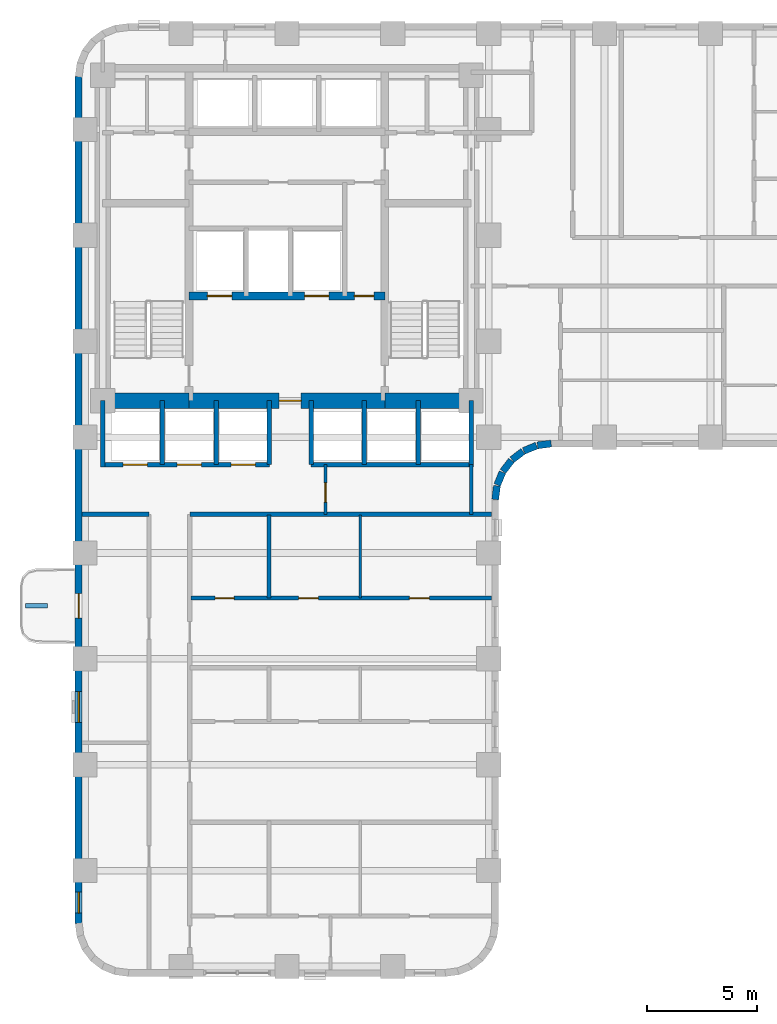
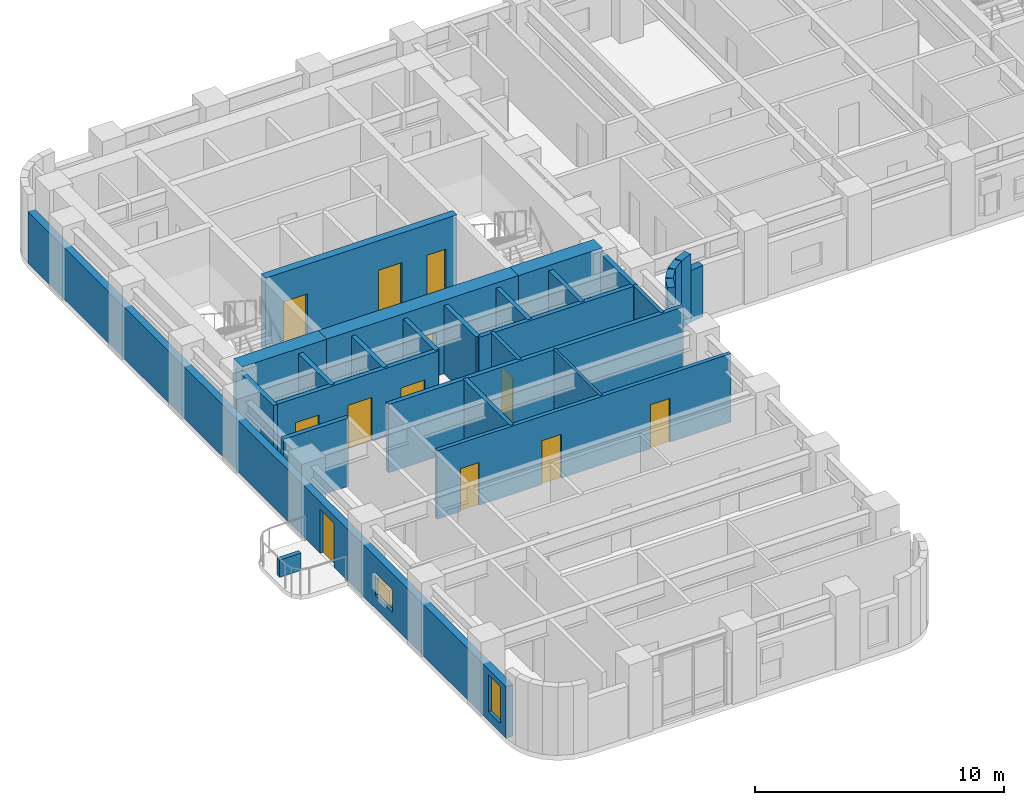
# One storey, part 5 of 12: 29 walls, 12 doors, 2 windows, 14 openings.
"""IFC4 building model written with IfcOpenShell, lengths in metres."""

import ifcopenshell
import ifcopenshell.guid

model = None  # the IFC model being written
_history = None  # IfcOwnerHistory: only IFC2X3 demands one
_inside = {}  # id of a spatial element -> (the spatial element, [elements in it])
_under = {}  # id of a project, library or spatial element -> (it, [spatial elements below it])
_declared = {}  # id of a project -> (the project, [libraries it declares])
_typed = {}  # id of a type object -> (the type object, [elements of that type])
_made_of = {}  # id of a material, layer set ... -> (it, [elements and type objects made of it])


def new_model(schema):
    """Start an empty IFC model of exactly this schema.

    Asked for "IFC4X3", IfcOpenShell would pick the latest addendum, in which some entities
    have other attributes; the version numbers below select the first issue.
    IFC2X3 requires an IfcOwnerHistory on every rooted entity: one is made here for all.
    """
    global model, _history
    if schema == "IFC4X3":
        model = ifcopenshell.file(schema_version=(4, 3, 0, 0))
    else:
        model = ifcopenshell.file(schema=schema)
    _inside.clear()
    _under.clear()
    _declared.clear()
    _typed.clear()
    _made_of.clear()
    _history = None
    if model.schema == "IFC2X3":
        org = make("IfcOrganization", Name="unknown")
        user = make(
            "IfcPersonAndOrganization",
            ThePerson=make("IfcPerson", FamilyName="unknown"),
            TheOrganization=org,
        )
        app = make(
            "IfcApplication",
            ApplicationDeveloper=org,
            Version="unknown",
            ApplicationFullName="unknown",
            ApplicationIdentifier="unknown",
        )
        _history = make(
            "IfcOwnerHistory",
            OwningUser=user,
            OwningApplication=app,
            ChangeAction="ADDED",
            CreationDate=0,
        )
    return model


def make(cls, **values):
    """One entity of the class cls with the attributes given. An attribute that is None is left unset."""
    return model.create_entity(
        cls, **{name: value for name, value in values.items() if value is not None}
    )


def rooted(cls, **values):
    """An entity with a GlobalId (a new one), such as an element, a storey or a relation."""
    return make(cls, GlobalId=ifcopenshell.guid.new(), OwnerHistory=_history, **values)


def si_unit(unit_type, name, prefix=None):
    """IfcSIUnit, for example si_unit("LENGTHUNIT", "METRE", prefix="MILLI")."""
    return make("IfcSIUnit", UnitType=unit_type, Prefix=prefix, Name=name)


def assignment(units):
    """IfcUnitAssignment: the units of a project."""
    return None if units is None else make("IfcUnitAssignment", Units=units)


def point(xyz):
    """IfcCartesianPoint."""
    return None if xyz is None else make("IfcCartesianPoint", Coordinates=xyz)


def direction(xyz):
    """IfcDirection."""
    return None if xyz is None else make("IfcDirection", DirectionRatios=xyz)


def frame(location, z_axis=None, x_axis=None):
    """IfcAxis2Placement3D, a coordinate frame: its origin and axes. An axis left out is left unset."""
    return make(
        "IfcAxis2Placement3D",
        Location=point(location),
        Axis=direction(z_axis),
        RefDirection=direction(x_axis),
    )


def frame_2d(location, x_axis=None):
    """IfcAxis2Placement2D, a coordinate frame in the plane: its origin and x axis."""
    return make(
        "IfcAxis2Placement2D", Location=point(location), RefDirection=direction(x_axis)
    )


def origin():
    """The frame at (0, 0, 0) with its axes left unset."""
    return frame((0.0, 0.0, 0.0))


def place(relative_to, where):
    """IfcLocalPlacement: puts the frame where relative to a parent placement (None: the world)."""
    return make(
        "IfcLocalPlacement", PlacementRelTo=relative_to, RelativePlacement=where
    )


def context(
    kind, dimensions, precision=None, world=None, true_north=None, identifier=None
):
    """IfcGeometricRepresentationContext, for example the 3D "Model" context."""
    return make(
        "IfcGeometricRepresentationContext",
        ContextIdentifier=identifier,
        ContextType=kind,
        CoordinateSpaceDimension=dimensions,
        Precision=precision,
        WorldCoordinateSystem=world,
        TrueNorth=true_north,
    )


def subcontext(parent, identifier, kind, view, scale=None):
    """IfcGeometricRepresentationSubContext, for example "Body" below "Model"."""
    return make(
        "IfcGeometricRepresentationSubContext",
        ContextIdentifier=identifier,
        ContextType=kind,
        ParentContext=parent,
        TargetScale=scale,
        TargetView=view,
    )


def project(units=None, contexts=None):
    """IfcProject with its units and contexts."""
    return rooted(
        "IfcProject",
        Name="project",
        RepresentationContexts=contexts,
        UnitsInContext=assignment(units),
    )


def spatial(cls, under=None, at=None, **own):
    """A site, building, storey or space (cls), placed at a placement, below another one or the project."""
    s = rooted(cls, ObjectPlacement=at, **own)
    if under is not None:
        _under.setdefault(under.id(), (under, []))[1].append(s)
    return s


def profile(cls, at=None, kind="AREA", **sizes):
    """A parametric profile (cls). Its sizes go by their IFC names, for example OverallWidth=200.0."""
    return make(cls, ProfileType=kind, Position=at, **sizes)


def rectangle(**sizes):
    """IfcRectangleProfileDef."""
    return profile("IfcRectangleProfileDef", **sizes)


def extrude(swept, where, along, depth):
    """IfcExtrudedAreaSolid: the profile swept, set in the frame where, extruded along a direction by depth."""
    return make(
        "IfcExtrudedAreaSolid",
        SweptArea=swept,
        Position=where,
        ExtrudedDirection=direction(along),
        Depth=depth,
    )


def shape(context_of_items, identifier, shape_type, items):
    """IfcShapeRepresentation: the items that make up one representation, for example the "Body"."""
    return make(
        "IfcShapeRepresentation",
        ContextOfItems=context_of_items,
        RepresentationIdentifier=identifier,
        RepresentationType=shape_type,
        Items=items,
    )


def material(Name=None, Category=None):
    """IfcMaterial."""
    return make("IfcMaterial", Name=Name, Category=Category)


def layer(
    of_material, thickness, ventilated=None, Name=None, Category=None, Priority=None
):
    """IfcMaterialLayer: one layer of a wall or slab, of a material (None: an air gap)."""
    return make(
        "IfcMaterialLayer",
        Material=of_material,
        LayerThickness=thickness,
        IsVentilated=ventilated,
        Name=Name,
        Category=Category,
        Priority=Priority,
    )


def layer_set(layers, Name=None):
    """IfcMaterialLayerSet."""
    return make("IfcMaterialLayerSet", MaterialLayers=layers, LayerSetName=Name)


def made_of(thing, what):
    """Note that an element or type object is made of a material, layer set ...; save() writes the relation."""
    if what is not None:
        _made_of.setdefault(what.id(), (what, []))[1].append(thing)
    return thing


def type_object(cls, material=None, **own):
    """A type object (cls), such as IfcWallType, which elements share."""
    return made_of(rooted(cls, **own), material)


def element(
    cls,
    number,
    at=None,
    inside=None,
    cuts=None,
    type_object=None,
    material=None,
    context=None,
    identifier="Body",
    shape_type=None,
    held_by="IfcProductDefinitionShape",
    body=None,
    shapes=None,
    **own,
):
    """One element of the class cls, such as IfcWall. Its Tag is "e" and its number.

    at: its placement. inside: the storey or other place that contains it. cuts: it is an
    opening in that element (IfcRelVoidsElement). A single representation is given by context,
    identifier, shape_type and body (its items); several are given by shapes. held_by: the class
    of the entity that holds the representations. save() writes the other relations.
    """
    e = rooted(cls, Tag="e%d" % number, ObjectPlacement=at, **own)
    if body is not None:
        shapes = [shape(context, identifier, shape_type, body)]
    if shapes is not None:
        e.Representation = make(held_by, Representations=shapes)
    if inside is not None:
        _inside.setdefault(inside.id(), (inside, []))[1].append(e)
    if cuts is not None:
        rooted(
            "IfcRelVoidsElement", RelatingBuildingElement=cuts, RelatedOpeningElement=e
        )
    if type_object is not None:
        _typed.setdefault(type_object.id(), (type_object, []))[1].append(e)
    return made_of(e, material)


def fill(opening, filler):
    """IfcRelFillsElement: the door or window that sits in an opening."""
    return rooted(
        "IfcRelFillsElement",
        RelatingOpeningElement=opening,
        RelatedBuildingElement=filler,
    )


def aggregate(whole, parts):
    """IfcRelAggregates: a whole, such as a stair, and the parts it consists of."""
    return rooted("IfcRelAggregates", RelatingObject=whole, RelatedObjects=parts)


def save(model, path):
    """Write the relations noted so far, then the file.

    IfcRelAggregates (storeys below a building ...), IfcRelContainedInSpatialStructure (elements
    in a storey), IfcRelDefinesByType, IfcRelAssociatesMaterial and IfcRelDeclares: one each for
    every whole, place, type object, material and project.
    """
    for whole, parts in _under.values():
        aggregate(whole, parts)
    for where, things in _inside.values():
        rooted(
            "IfcRelContainedInSpatialStructure",
            RelatedElements=things,
            RelatingStructure=where,
        )
    for kind, things in _typed.values():
        rooted("IfcRelDefinesByType", RelatedObjects=things, RelatingType=kind)
    for what, things in _made_of.values():
        rooted("IfcRelAssociatesMaterial", RelatedObjects=things, RelatingMaterial=what)
    for by, libraries in _declared.values():
        rooted("IfcRelDeclares", RelatingContext=by, RelatedDefinitions=libraries)
    model.write(path)


model = new_model("IFC4")

# Units and contexts
model_context = context("Model", 3, precision=1e-05, world=origin(), true_north=direction((0.0, 1.0)))
body_context = subcontext(model_context, "Body", "Model", "MODEL_VIEW")
ifc_project = project(units=[si_unit("LENGTHUNIT", "METRE"), si_unit("AREAUNIT", "SQUARE_METRE"), si_unit("VOLUMEUNIT", "CUBIC_METRE"), si_unit("PLANEANGLEUNIT", "RADIAN"), si_unit("MASSUNIT", "GRAM", prefix="KILO")], contexts=[model_context])

# Site, building, storey
site_placement = place(None, origin())
site = spatial("IfcSite", under=ifc_project, at=site_placement, CompositionType="ELEMENT")
building_placement = place(site_placement, origin())
building = spatial("IfcBuilding", under=site, at=building_placement, Name="Orvandelia Arch Residences", CompositionType="ELEMENT")
storey_placement = place(building_placement, frame((0.0, 0.0, 71.800048828125)))
storey = spatial("IfcBuildingStorey", under=building, at=storey_placement, Name="L18", CompositionType="ELEMENT", Elevation=71.800048828125)

# Wall, openings, doors
ifc_material_1 = material(Name="Concrete C50/60", Category="concrete")
ifc_layer_1 = layer(ifc_material_1, 0.35009765625, Name="Concrete C50/60", Category="concrete")
ifc_layer_set_1 = layer_set([ifc_layer_1], Name="Concrete C50/60")
wall_type_1 = type_object("IfcWallType", Name="WL-CORE-350", PredefinedType="SHEAR", material=ifc_layer_set_1)
wall_1_placement = place(storey_placement, frame((9.9599609375, 35.64990234375, 0.0), z_axis=(0.0, 0.0, 1.0), x_axis=(1.0, 0.0, 0.0)))
wall_1 = element("IfcWall", 1, at=wall_1_placement, inside=storey, type_object=wall_type_1, Name="Core Shear Wall L18-HZ3", PredefinedType="SHEAR", context=body_context, shape_type="SweptSolid", body=[
    extrude(rectangle(XDim=8.880126953125, YDim=0.35009765625, at=frame_2d((4.43994140625, 0.0))), origin(), (0.0, 0.0, 1.0), 3.599853515625),
])
opening_1_placement = place(wall_1_placement, frame((0.840087890625, 0.0, 0.0)))
opening_1 = element("IfcOpeningElement", 2, at=opening_1_placement, cuts=wall_1, Name="Opening FLD", PredefinedType="OPENING", context=body_context, shape_type="SweptSolid", body=[
    extrude(rectangle(XDim=1.10009765625, YDim=2.14990234375, at=frame_2d((0.550048828125, 1.074951171875))), frame((0.0, 0.18505859375, 0.0), z_axis=(0.0, -1.0, 0.0), x_axis=(1.0, 0.0, 0.0)), (0.0, 0.0, 1.0), 0.3701171875),
])
opening_2_placement = place(wall_1_placement, frame((5.239990234375, 0.0, 0.0)))
opening_2 = element("IfcOpeningElement", 3, at=opening_2_placement, cuts=wall_1, Name="Opening FLD", PredefinedType="OPENING", context=body_context, shape_type="SweptSolid", body=[
    extrude(rectangle(XDim=1.10009765625, YDim=2.14990234375, at=frame_2d((0.550048828125, 1.074951171875))), frame((0.0, 0.18505859375, 0.0), z_axis=(0.0, -1.0, 0.0), x_axis=(1.0, 0.0, 0.0)), (0.0, 0.0, 1.0), 0.3701171875),
])
opening_3_placement = place(wall_1_placement, frame((7.5, 0.0, 0.0)))
opening_3 = element("IfcOpeningElement", 4, at=opening_3_placement, cuts=wall_1, Name="Opening D5", PredefinedType="OPENING", context=body_context, shape_type="SweptSolid", body=[
    extrude(rectangle(XDim=0.8798828125, YDim=2.10009765625, at=frame_2d((0.43994140625, 1.050048828125))), frame((0.0, 0.18505859375, 0.0), z_axis=(0.0, -1.0, 0.0), x_axis=(1.0, 0.0, 0.0)), (0.0, 0.0, 1.0), 0.3701171875),
])
ifc_material_2 = material(Name="Firefighting Lift Stainless Sliding Door")
door_type_1 = type_object("IfcDoorType", Name="DR-FLFT-1100", OperationType="NOTDEFINED", PredefinedType="DOOR", material=ifc_material_2)
door_1_placement = place(opening_1_placement, origin())
door_1 = element("IfcDoor", 5, at=door_1_placement, inside=storey, type_object=door_type_1, Name="Firefighting Lift Landing Door FLD-FL1-L18", OperationType="SLIDING_TO_LEFT", OverallHeight=2.14990234375, OverallWidth=1.10009765625, PredefinedType="DOOR", context=body_context, shape_type="SweptSolid", body=[
    extrude(rectangle(XDim=1.10009765625, YDim=2.14990234375, at=frame_2d((0.550048828125, 1.074951171875))), frame((0.0, 0.02490234375, 0.0), z_axis=(0.0, -1.0, 0.0), x_axis=(1.0, 0.0, 0.0)), (0.0, 0.0, 1.0), 0.050048828125),
])
fill(opening_1, door_1)
door_2_placement = place(opening_2_placement, origin())
door_2 = element("IfcDoor", 6, at=door_2_placement, inside=storey, type_object=door_type_1, Name="Firefighting Lift Landing Door FLD-FL2-L18", OperationType="SLIDING_TO_RIGHT", OverallHeight=2.14990234375, OverallWidth=1.10009765625, PredefinedType="DOOR", context=body_context, shape_type="SweptSolid", body=[
    extrude(rectangle(XDim=1.10009765625, YDim=2.14990234375, at=frame_2d((0.550048828125, 1.074951171875))), frame((0.0, 0.02490234375, 0.0), z_axis=(0.0, -1.0, 0.0), x_axis=(1.0, 0.0, 0.0)), (0.0, 0.0, 1.0), 0.050048828125),
])
fill(opening_2, door_2)
ifc_material_3 = material(Name="Painted Galvanised Steel Service Door", Category="steel")
door_type_2 = type_object("IfcDoorType", Name="DR-SRV-880", OperationType="NOTDEFINED", PredefinedType="DOOR", material=ifc_material_3)
door_3_placement = place(opening_3_placement, origin())
door_3 = element("IfcDoor", 7, at=door_3_placement, inside=storey, type_object=door_type_2, Name="Core Stairway Passage South Fire Door L18", OperationType="SINGLE_SWING_LEFT", OverallHeight=2.10009765625, OverallWidth=0.8798828125, PredefinedType="DOOR", context=body_context, shape_type="SweptSolid", body=[
    extrude(rectangle(XDim=0.8798828125, YDim=2.10009765625, at=frame_2d((0.43994140625, 1.050048828125))), frame((0.0, 0.02490234375, 0.0), z_axis=(0.0, -1.0, 0.0), x_axis=(1.0, 0.0, 0.0)), (0.0, 0.0, 1.0), 0.050048828125),
])
fill(opening_3, door_3)

# Wall
ifc_material_4 = material(Name="Concrete C80/95", Category="concrete")
ifc_layer_2 = layer(ifc_material_4, 0.699951171875, Name="Concrete C80/95", Category="concrete")
ifc_layer_set_2 = layer_set([ifc_layer_2], Name="Concrete C80/95")
wall_type_2 = type_object("IfcWallType", Name="WL-CORE-700", PredefinedType="SHEAR", material=ifc_layer_set_2)
wall_2_placement = place(storey_placement, frame((6.050048828125, 30.89990234375, 0.0), z_axis=(0.0, 0.0, 1.0), x_axis=(1.0, 0.0, 0.0)))
element("IfcWall", 8, at=wall_2_placement, inside=storey, type_object=wall_type_2, Name="Core Shear Wall L18-SW", PredefinedType="SHEAR", context=body_context, shape_type="SweptSolid", body=[
    extrude(rectangle(XDim=3.909912109375, YDim=0.699951171875, at=frame_2d((1.955078125, 0.0))), origin(), (0.0, 0.0, 1.0), 3.599853515625),
])

# Wall, opening, door
wall_3_placement = place(storey_placement, frame((9.9599609375, 30.89990234375, 0.0), z_axis=(0.0, 0.0, 1.0), x_axis=(1.0, 0.0, 0.0)))
wall_3 = element("IfcWall", 9, at=wall_3_placement, inside=storey, type_object=wall_type_2, Name="Core Shear Wall L18-SM", PredefinedType="SHEAR", context=body_context, shape_type="SweptSolid", body=[
    extrude(rectangle(XDim=8.880126953125, YDim=0.699951171875, at=frame_2d((4.43994140625, 0.0))), origin(), (0.0, 0.0, 1.0), 3.599853515625),
])
opening_4_placement = place(wall_3_placement, frame((4.090087890625, 0.0, 0.0)))
opening_4 = element("IfcOpeningElement", 10, at=opening_4_placement, cuts=wall_3, Name="Opening D6", PredefinedType="OPENING", context=body_context, shape_type="SweptSolid", body=[
    extrude(rectangle(XDim=1.0, YDim=2.14990234375, at=frame_2d((0.5, 1.074951171875))), frame((0.0, 0.35986328125, 0.0), z_axis=(0.0, -1.0, 0.0), x_axis=(1.0, 0.0, 0.0)), (0.0, 0.0, 1.0), 0.719970703125),
])
ifc_material_5 = material(Name="Smokeproof Painted Steel Fire Door", Category="steel")
door_type_3 = type_object("IfcDoorType", Name="DR-FD60-1000", OperationType="NOTDEFINED", PredefinedType="DOOR", material=ifc_material_5)
door_4_placement = place(opening_4_placement, origin())
door_4 = element("IfcDoor", 11, at=door_4_placement, inside=storey, type_object=door_type_3, Name="Firefighting Lobby Smokeproof Door L18", OperationType="SINGLE_SWING_LEFT", OverallHeight=2.14990234375, OverallWidth=1.0, PredefinedType="DOOR", context=body_context, shape_type="SweptSolid", body=[
    extrude(rectangle(XDim=1.0, YDim=2.14990234375, at=frame_2d((0.5, 1.074951171875))), frame((0.0, 0.02490234375, 0.0), z_axis=(0.0, -1.0, 0.0), x_axis=(1.0, 0.0, 0.0)), (0.0, 0.0, 1.0), 0.050048828125),
])
fill(opening_4, door_4)

# Walls
wall_4_placement = place(storey_placement, frame((18.840087890625, 30.89990234375, 0.0), z_axis=(0.0, 0.0, 1.0), x_axis=(1.0, 0.0, 0.0)))
element("IfcWall", 12, at=wall_4_placement, inside=storey, type_object=wall_type_2, Name="Core Shear Wall L18-SE", PredefinedType="SHEAR", context=body_context, shape_type="SweptSolid", body=[
    extrude(rectangle(XDim=3.909912109375, YDim=0.699951171875, at=frame_2d((1.955078125, 0.0))), origin(), (0.0, 0.0, 1.0), 3.599853515625),
])
ifc_material_6 = material(Name="Fire-Rated Corridor Partition")
ifc_layer_3 = layer(ifc_material_6, 0.199951171875, Name="Fire-Rated Corridor Partition")
ifc_layer_set_3 = layer_set([ifc_layer_3], Name="Fire-Rated Corridor Partition")
wall_type_3 = type_object("IfcWallType", Name="WL-CORR-200", PredefinedType="PARTITIONING", material=ifc_layer_set_3)
wall_5_placement = place(storey_placement, frame((5.1201171875, 25.75, 0.0), z_axis=(0.0, 0.0, 1.0), x_axis=(1.0, 0.0, 0.0)))
element("IfcWall", 13, at=wall_5_placement, inside=storey, type_object=wall_type_3, Name="Interior Partition Wall WL-L18-WCLS-W", PredefinedType="PARTITIONING", context=body_context, shape_type="SweptSolid", body=[
    extrude(rectangle(XDim=3.02978515625, YDim=0.199951171875, at=frame_2d((1.514892578125, 0.0))), origin(), (0.0, 0.0, 1.0), 3.349853515625),
])
wall_6_placement = place(storey_placement, frame((10.0, 25.75, 0.0), z_axis=(0.0, 0.0, 1.0), x_axis=(1.0, 0.0, 0.0)))
element("IfcWall", 14, at=wall_6_placement, inside=storey, type_object=wall_type_3, Name="Interior Partition Wall WL-L18-WCLS-E", PredefinedType="PARTITIONING", context=body_context, shape_type="SweptSolid", body=[
    extrude(rectangle(XDim=13.679931640625, YDim=0.199951171875, at=frame_2d((6.83984375, 0.0))), origin(), (0.0, 0.0, 1.0), 3.349853515625),
])
ifc_material_7 = material(Name="Precast concrete C40/50", Category="concrete")
ifc_layer_4 = layer(ifc_material_7, 0.320068359375, Name="Precast concrete C40/50", Category="concrete")
ifc_layer_set_4 = layer_set([ifc_layer_4], Name="Precast concrete C40/50")
wall_type_4 = type_object("IfcWallType", Name="WL-EXT-STONE-320", PredefinedType="STANDARD", material=ifc_layer_set_4)
wall_7_placement = place(storey_placement, frame((26.379150390625, 28.95849609375, 0.0), z_axis=(0.0, 0.0, 1.0), x_axis=(-0.991447664465, -0.130504898859, 0.0)))
element("IfcWall", 15, at=wall_7_placement, inside=storey, type_object=wall_type_4, Name="Coral-Limestone Precast Facade Wall L18-022", PredefinedType="STANDARD", context=body_context, shape_type="SweptSolid", body=[
    extrude(rectangle(XDim=0.626708984375, YDim=0.320068359375, at=frame_2d((0.3134765625, 0.0))), origin(), (0.0, 0.0, 1.0), 2.530029296875),
])
wall_8_placement = place(storey_placement, frame((25.717529296875, 28.865966796875, 0.0), z_axis=(0.0, 0.0, 1.0), x_axis=(-0.923836271867, -0.382787856107, 0.0)))
element("IfcWall", 16, at=wall_8_placement, inside=storey, type_object=wall_type_4, Name="Coral-Limestone Precast Facade Wall L18-023", PredefinedType="STANDARD", context=body_context, shape_type="SweptSolid", body=[
    extrude(rectangle(XDim=0.626220703125, YDim=0.320068359375, at=frame_2d((0.31298828125, 0.0))), origin(), (0.0, 0.0, 1.0), 3.349853515625),
])
for number, where, z_axis, x_axis, name in (
    (17, (25.1025390625, 28.60546875, 0.0), (0.0, 0.0, 1.0), (-0.793405610854, -0.608693302629, 0.0), "Coral-Limestone Precast Facade Wall L18-024"),
    (18, (24.575927734375, 28.194580078125, 0.0), (0.0, 0.0, 1.0), (-0.608693302629, -0.793405610854, 0.0), "Coral-Limestone Precast Facade Wall L18-025"),
):
    element("IfcWall", number, at=place(storey_placement, frame(where, z_axis=z_axis, x_axis=x_axis)), inside=storey, type_object=wall_type_4, Name=name, PredefinedType="STANDARD", context=body_context, shape_type="SweptSolid", body=[
        extrude(rectangle(XDim=0.62646484375, YDim=0.320068359375, at=frame_2d((0.313232421875, 0.0))), origin(), (0.0, 0.0, 1.0), 3.349853515625),
    ])
wall_9_placement = place(storey_placement, frame((24.173583984375, 27.6611328125, 0.0), z_axis=(0.0, 0.0, 1.0), x_axis=(-0.382455093999, -0.923974080304, 0.0)))
element("IfcWall", 19, at=wall_9_placement, inside=storey, type_object=wall_type_4, Name="Coral-Limestone Precast Facade Wall L18-026", PredefinedType="STANDARD", context=body_context, shape_type="SweptSolid", body=[
    extrude(rectangle(XDim=0.626220703125, YDim=0.320068359375, at=frame_2d((0.31298828125, 0.0))), origin(), (0.0, 0.0, 1.0), 3.349853515625),
])
wall_10_placement = place(storey_placement, frame((23.923095703125, 27.0419921875, 0.0), z_axis=(0.0, 0.0, 1.0), x_axis=(-0.130555323746, -0.9914410257, 0.0)))
element("IfcWall", 20, at=wall_10_placement, inside=storey, type_object=wall_type_4, Name="Coral-Limestone Precast Facade Wall L18-027", PredefinedType="STANDARD", context=body_context, shape_type="SweptSolid", body=[
    extrude(rectangle(XDim=0.62646484375, YDim=0.320068359375, at=frame_2d((0.313232421875, 0.0))), origin(), (0.0, 0.0, 1.0), 2.530029296875),
])

# Wall, openings, door, windows
wall_11_placement = place(storey_placement, frame((4.9599609375, 7.199951171875, 0.0), z_axis=(0.0, 0.0, 1.0), x_axis=(0.0, 1.0, 0.0)))
wall_11 = element("IfcWall", 21, at=wall_11_placement, inside=storey, type_object=wall_type_4, Name="Coral-Limestone Precast Facade Wall L18-043", PredefinedType="STANDARD", context=body_context, shape_type="SweptSolid", body=[
    extrude(rectangle(XDim=38.400146484375, YDim=0.320068359375, at=frame_2d((19.2001953125, 0.0))), origin(), (0.0, 0.0, 1.0), 2.530029296875),
])
opening_5_placement = place(wall_11_placement, frame((13.85009765625, 0.0, 0.0)))
opening_5 = element("IfcOpeningElement", 22, at=opening_5_placement, cuts=wall_11, Name="Opening BD1", PredefinedType="OPENING", context=body_context, shape_type="SweptSolid", body=[
    extrude(rectangle(XDim=1.10009765625, YDim=2.14990234375, at=frame_2d((0.550048828125, 1.074951171875))), frame((0.0, 0.169921875, 0.0), z_axis=(0.0, -1.0, 0.0), x_axis=(1.0, 0.0, 0.0)), (0.0, 0.0, 1.0), 0.340087890625),
])
opening_6_placement = place(wall_11_placement, frame((0.469970703125, 0.0, 0.449951171875)))
opening_6 = element("IfcOpeningElement", 23, at=opening_6_placement, cuts=wall_11, Name="Opening W4", PredefinedType="OPENING", context=body_context, shape_type="SweptSolid", body=[
    extrude(rectangle(XDim=0.949951171875, YDim=1.800048828125, at=frame_2d((0.47509765625, 0.89990234375))), frame((0.0, 0.169921875, 0.0), z_axis=(0.0, -1.0, 0.0), x_axis=(1.0, 0.0, 0.0)), (0.0, 0.0, 1.0), 0.340087890625),
])
opening_7_placement = place(wall_11_placement, frame((9.114990234375, 0.0, 0.64990234375)))
opening_7 = element("IfcOpeningElement", 24, at=opening_7_placement, cuts=wall_11, Name="Opening W10", PredefinedType="OPENING", context=body_context, shape_type="SweptSolid", body=[
    extrude(rectangle(XDim=1.39990234375, YDim=1.10009765625, at=frame_2d((0.699951171875, 0.550048828125))), frame((0.0, 0.169921875, 0.0), z_axis=(0.0, -1.0, 0.0), x_axis=(1.0, 0.0, 0.0)), (0.0, 0.0, 1.0), 0.340087890625),
])
ifc_material_8 = material(Name="Thermally Broken Aluminium Glazed Door", Category="aluminium")
door_type_4 = type_object("IfcDoorType", Name="DR-BAL-GLAZ-1100", OperationType="NOTDEFINED", PredefinedType="DOOR", material=ifc_material_8)
door_5_placement = place(opening_5_placement, origin())
door_5 = element("IfcDoor", 25, at=door_5_placement, inside=storey, type_object=door_type_4, Name="Tree Balcony Glazed Door BAL-L18-W1", OperationType="SINGLE_SWING_RIGHT", OverallHeight=2.14990234375, OverallWidth=1.10009765625, PredefinedType="DOOR", context=body_context, shape_type="SweptSolid", body=[
    extrude(rectangle(XDim=1.10009765625, YDim=2.14990234375, at=frame_2d((0.550048828125, 1.074951171875))), frame((0.0, 0.02490234375, 0.0), z_axis=(0.0, -1.0, 0.0), x_axis=(1.0, 0.0, 0.0)), (0.0, 0.0, 1.0), 0.050048828125),
])
fill(opening_5, door_5)
ifc_material_9 = material(Name="Tempered Low-E Insulated Glazing", Category="glass")
window_type_1 = type_object("IfcWindowType", Name="WIN-CLR-1400x1100", PartitioningType="SINGLE_PANEL", PredefinedType="WINDOW", material=ifc_material_9)
window_1_placement = place(opening_7_placement, origin())
window_1 = element("IfcWindow", 26, at=window_1_placement, inside=storey, type_object=window_type_1, Name="Recessed Punched Window L18-027", OverallHeight=1.10009765625, OverallWidth=1.39990234375, PartitioningType="SINGLE_PANEL", PredefinedType="WINDOW", context=body_context, shape_type="SweptSolid", body=[
    extrude(rectangle(XDim=1.39990234375, YDim=1.10009765625, at=frame_2d((0.699951171875, 0.550048828125))), frame((0.0, 0.030029296875, 0.0), z_axis=(0.0, -1.0, 0.0), x_axis=(1.0, 0.0, 0.0)), (0.0, 0.0, 1.0), 0.06005859375),
])
fill(opening_7, window_1)
window_type_2 = type_object("IfcWindowType", Name="WIN-RES-0950x1800", PartitioningType="SINGLE_PANEL", PredefinedType="WINDOW", material=ifc_material_9)
window_2_placement = place(opening_6_placement, origin())
window_2 = element("IfcWindow", 27, at=window_2_placement, inside=storey, type_object=window_type_2, Name="Recessed Punched Window L18-026", OverallHeight=1.800048828125, OverallWidth=0.949951171875, PartitioningType="SINGLE_PANEL", PredefinedType="WINDOW", context=body_context, shape_type="SweptSolid", body=[
    extrude(rectangle(XDim=0.949951171875, YDim=1.800048828125, at=frame_2d((0.47509765625, 0.89990234375))), frame((0.0, 0.030029296875, 0.0), z_axis=(0.0, -1.0, 0.0), x_axis=(1.0, 0.0, 0.0)), (0.0, 0.0, 1.0), 0.06005859375),
])
fill(opening_6, window_2)

# Wall
ifc_material_10 = material(Name="Lightweight Gypsum Stud Partition")
ifc_layer_5 = layer(ifc_material_10, 0.1201171875, Name="Lightweight Gypsum Stud Partition")
ifc_layer_set_5 = layer_set([ifc_layer_5], Name="Lightweight Gypsum Stud Partition")
wall_type_5 = type_object("IfcWallType", Name="WL-PART-120", PredefinedType="PARTITIONING", material=ifc_layer_set_5)
wall_12_placement = place(storey_placement, frame((17.720947265625, 21.9541015625, 0.0), z_axis=(0.0, 0.0, 1.0), x_axis=(0.0, 1.0, 0.0)))
element("IfcWall", 28, at=wall_12_placement, inside=storey, type_object=wall_type_5, Name="Interior Partition Wall WL-L18-U03-V2", PredefinedType="PARTITIONING", context=body_context, shape_type="SweptSolid", body=[
    extrude(rectangle(XDim=3.765869140625, YDim=0.1201171875, at=frame_2d((1.8828125, 0.0))), origin(), (0.0, 0.0, 1.0), 3.349853515625),
])

# Wall, opening, door
ifc_material_11 = material(Name="Acoustic Gypsum Stud Partition")
ifc_layer_6 = layer(ifc_material_11, 0.14990234375, Name="Acoustic Gypsum Stud Partition")
ifc_layer_set_6 = layer_set([ifc_layer_6], Name="Acoustic Gypsum Stud Partition")
wall_type_6 = type_object("IfcWallType", Name="WL-PART-150", PredefinedType="PARTITIONING", material=ifc_layer_set_6)
wall_13_placement = place(storey_placement, frame((16.14990234375, 25.75, 0.0), z_axis=(0.0, 0.0, 1.0), x_axis=(0.0, 1.0, 0.0)))
wall_13 = element("IfcWall", 29, at=wall_13_placement, inside=storey, type_object=wall_type_6, Name="Interior Partition Wall WL-L18-HLS-EW", PredefinedType="PARTITIONING", context=body_context, shape_type="SweptSolid", body=[
    extrude(rectangle(XDim=2.25, YDim=0.14990234375, at=frame_2d((1.125, 0.0))), origin(), (0.0, 0.0, 1.0), 3.349853515625),
])
opening_8_placement = place(wall_13_placement, frame((0.550048828125, 0.0, 0.0)))
opening_8 = element("IfcOpeningElement", 30, at=opening_8_placement, cuts=wall_13, Name="Opening D5", PredefinedType="OPENING", context=body_context, shape_type="SweptSolid", body=[
    extrude(rectangle(XDim=0.8798828125, YDim=2.10009765625, at=frame_2d((0.43994140625, 1.050048828125))), frame((0.0, 0.0849609375, 0.0), z_axis=(0.0, -1.0, 0.0), x_axis=(1.0, 0.0, 0.0)), (0.0, 0.0, 1.0), 0.169921875),
])
door_6_placement = place(opening_8_placement, origin())
door_6 = element("IfcDoor", 31, at=door_6_placement, inside=storey, type_object=door_type_2, Name="DR-L18-CSZ1A", OperationType="SINGLE_SWING_LEFT", OverallHeight=2.10009765625, OverallWidth=0.8798828125, PredefinedType="DOOR", context=body_context, shape_type="SweptSolid", body=[
    extrude(rectangle(XDim=0.8798828125, YDim=2.10009765625, at=frame_2d((0.43994140625, 1.050048828125))), frame((0.0, 0.02490234375, 0.0), z_axis=(0.0, -1.0, 0.0), x_axis=(1.0, 0.0, 0.0)), (0.0, 0.0, 1.0), 0.050048828125),
])
fill(opening_8, door_6)

# Walls
wall_14_placement = place(storey_placement, frame((22.75, 25.75, 0.0), z_axis=(0.0, 0.0, 1.0), x_axis=(0.0, 1.0, 0.0)))
element("IfcWall", 32, at=wall_14_placement, inside=storey, type_object=wall_type_6, Name="Interior Partition Wall WL-L18-HLS-EE", PredefinedType="PARTITIONING", context=body_context, shape_type="SweptSolid", body=[
    extrude(rectangle(XDim=2.25, YDim=0.14990234375, at=frame_2d((1.125, 0.0))), origin(), (0.0, 0.0, 1.0), 3.349853515625),
])
ifc_layer_7 = layer(ifc_material_7, 0.199951171875, Name="Precast concrete C40/50", Category="concrete")
ifc_layer_set_7 = layer_set([ifc_layer_7], Name="Precast concrete C40/50")
wall_type_7 = type_object("IfcWallType", Name="WL-PLANTER-200", PredefinedType="MOVABLE", material=ifc_layer_set_7)
wall_15_placement = place(storey_placement, frame((2.550048828125, 21.60009765625, 0.0), z_axis=(0.0, 0.0, 1.0), x_axis=(1.0, 0.0, 0.0)))
element("IfcWall", 33, at=wall_15_placement, inside=storey, type_object=wall_type_7, Name="Balcony Precast Tree Planter BAL-L18-W1", PredefinedType="MOVABLE", context=body_context, shape_type="SweptSolid", body=[
    extrude(rectangle(XDim=1.0, YDim=0.199951171875, at=frame_2d((0.5, 0.0))), origin(), (0.0, 0.0, 1.0), 0.849853515625),
])

# Wall, openings, doors
ifc_material_12 = material(Name="Fire-Rated Shaft Enclosure Wall")
ifc_layer_8 = layer(ifc_material_12, 0.199951171875, Name="Fire-Rated Shaft Enclosure Wall")
ifc_layer_set_8 = layer_set([ifc_layer_8], Name="Fire-Rated Shaft Enclosure Wall")
wall_type_8 = type_object("IfcWallType", Name="WL-SHAFT-200", PredefinedType="POLYGONAL", material=ifc_layer_set_8)
wall_16_placement = place(storey_placement, frame((6.050048828125, 28.0, 0.0), z_axis=(0.0, 0.0, 1.0), x_axis=(1.0, 0.0, 0.0)))
wall_16 = element("IfcWall", 34, at=wall_16_placement, inside=storey, type_object=wall_type_8, Name="Interior Partition Wall WL-L18-BNKL-S", PredefinedType="POLYGONAL", context=body_context, shape_type="SweptSolid", body=[
    extrude(rectangle(XDim=7.550048828125, YDim=0.199951171875, at=frame_2d((3.77490234375, 0.0))), origin(), (0.0, 0.0, 1.0), 3.349853515625),
])
opening_9_placement = place(wall_16_placement, frame((0.925048828125, 0.0, 0.0)))
opening_9 = element("IfcOpeningElement", 35, at=opening_9_placement, cuts=wall_16, Name="Opening LD", PredefinedType="OPENING", context=body_context, shape_type="SweptSolid", body=[
    extrude(rectangle(XDim=1.10009765625, YDim=2.14990234375, at=frame_2d((0.550048828125, 1.074951171875))), frame((0.0, 0.10986328125, 0.0), z_axis=(0.0, -1.0, 0.0), x_axis=(1.0, 0.0, 0.0)), (0.0, 0.0, 1.0), 0.219970703125),
])
opening_10_placement = place(wall_16_placement, frame((3.375, 0.0, 0.0)))
opening_10 = element("IfcOpeningElement", 36, at=opening_10_placement, cuts=wall_16, Name="Opening LD", PredefinedType="OPENING", context=body_context, shape_type="SweptSolid", body=[
    extrude(rectangle(XDim=1.10009765625, YDim=2.14990234375, at=frame_2d((0.550048828125, 1.074951171875))), frame((0.0, 0.10986328125, 0.0), z_axis=(0.0, -1.0, 0.0), x_axis=(1.0, 0.0, 0.0)), (0.0, 0.0, 1.0), 0.219970703125),
])
opening_11_placement = place(wall_16_placement, frame((5.824951171875, 0.0, 0.0)))
opening_11 = element("IfcOpeningElement", 37, at=opening_11_placement, cuts=wall_16, Name="Opening LD", PredefinedType="OPENING", context=body_context, shape_type="SweptSolid", body=[
    extrude(rectangle(XDim=1.10009765625, YDim=2.14990234375, at=frame_2d((0.550048828125, 1.074951171875))), frame((0.0, 0.10986328125, 0.0), z_axis=(0.0, -1.0, 0.0), x_axis=(1.0, 0.0, 0.0)), (0.0, 0.0, 1.0), 0.219970703125),
])
ifc_material_13 = material(Name="Brushed Stainless Steel Sliding Lift Door", Category="steel")
door_type_5 = type_object("IfcDoorType", Name="DR-LIFT-1100", OperationType="NOTDEFINED", PredefinedType="DOOR", material=ifc_material_13)
door_7_placement = place(opening_9_placement, origin())
door_7 = element("IfcDoor", 38, at=door_7_placement, inside=storey, type_object=door_type_5, Name="Lift Landing Door LD-PL1", OperationType="SLIDING_TO_LEFT", OverallHeight=2.14990234375, OverallWidth=1.10009765625, PredefinedType="DOOR", context=body_context, shape_type="SweptSolid", body=[
    extrude(rectangle(XDim=1.10009765625, YDim=2.14990234375, at=frame_2d((0.550048828125, 1.074951171875))), frame((0.0, 0.02490234375, 0.0), z_axis=(0.0, -1.0, 0.0), x_axis=(1.0, 0.0, 0.0)), (0.0, 0.0, 1.0), 0.050048828125),
])
fill(opening_9, door_7)
door_8_placement = place(opening_10_placement, origin())
door_8 = element("IfcDoor", 39, at=door_8_placement, inside=storey, type_object=door_type_5, Name="Lift Landing Door LD-PL2", OperationType="SLIDING_TO_RIGHT", OverallHeight=2.14990234375, OverallWidth=1.10009765625, PredefinedType="DOOR", context=body_context, shape_type="SweptSolid", body=[
    extrude(rectangle(XDim=1.10009765625, YDim=2.14990234375, at=frame_2d((0.550048828125, 1.074951171875))), frame((0.0, 0.02490234375, 0.0), z_axis=(0.0, -1.0, 0.0), x_axis=(1.0, 0.0, 0.0)), (0.0, 0.0, 1.0), 0.050048828125),
])
fill(opening_10, door_8)
door_9_placement = place(opening_11_placement, origin())
door_9 = element("IfcDoor", 40, at=door_9_placement, inside=storey, type_object=door_type_5, Name="Lift Landing Door LD-PL3", OperationType="SLIDING_TO_LEFT", OverallHeight=2.14990234375, OverallWidth=1.10009765625, PredefinedType="DOOR", context=body_context, shape_type="SweptSolid", body=[
    extrude(rectangle(XDim=1.10009765625, YDim=2.14990234375, at=frame_2d((0.550048828125, 1.074951171875))), frame((0.0, 0.02490234375, 0.0), z_axis=(0.0, -1.0, 0.0), x_axis=(1.0, 0.0, 0.0)), (0.0, 0.0, 1.0), 0.050048828125),
])
fill(opening_11, door_9)

# Walls
wall_17_placement = place(storey_placement, frame((15.5, 28.0, 0.0), z_axis=(0.0, 0.0, 1.0), x_axis=(1.0, 0.0, 0.0)))
element("IfcWall", 41, at=wall_17_placement, inside=storey, type_object=wall_type_8, Name="Interior Partition Wall WL-L18-BNKM-S", PredefinedType="POLYGONAL", context=body_context, shape_type="SweptSolid", body=[
    extrude(rectangle(XDim=7.25, YDim=0.199951171875, at=frame_2d((3.625, 0.0))), origin(), (0.0, 0.0, 1.0), 3.349853515625),
])
for number, where, z_axis, x_axis, name in (
    (42, (6.050048828125, 27.89990234375, 0.0), (0.0, 0.0, 1.0), (0.0, 1.0, 0.0), "Interior Partition Wall WL-L18-BNKL-W"),
    (43, (22.75, 27.89990234375, 0.0), (0.0, 0.0, 1.0), (0.0, 1.0, 0.0), "Interior Partition Wall WL-L18-BNKM-E"),
):
    element("IfcWall", number, at=place(storey_placement, frame(where, z_axis=z_axis, x_axis=x_axis)), inside=storey, type_object=wall_type_8, Name=name, PredefinedType="POLYGONAL", context=body_context, shape_type="SweptSolid", body=[
        extrude(rectangle(XDim=3.0, YDim=0.199951171875, at=frame_2d((1.5, 0.0))), origin(), (0.0, 0.0, 1.0), 3.349853515625),
    ])
for number, where, z_axis, x_axis, name in (
    (44, (13.60009765625, 28.0, 0.0), (0.0, 0.0, 1.0), (0.0, 1.0, 0.0), "Interior Partition Wall WL-L18-BNKL-E"),
    (45, (15.5, 28.0, 0.0), (0.0, 0.0, 1.0), (0.0, 1.0, 0.0), "Interior Partition Wall WL-L18-BNKM-W"),
    (46, (8.75, 28.0, 0.0), (0.0, 0.0, 1.0), (0.0, 1.0, 0.0), "Interior Partition Wall WL-L18-BNKD-875"),
    (47, (11.199951171875, 28.0, 0.0), (0.0, 0.0, 1.0), (0.0, 1.0, 0.0), "Interior Partition Wall WL-L18-BNKD-1120"),
    (48, (17.89990234375, 28.0, 0.0), (0.0, 0.0, 1.0), (0.0, 1.0, 0.0), "Interior Partition Wall WL-L18-BNKD-1789"),
    (49, (20.35009765625, 28.0, 0.0), (0.0, 0.0, 1.0), (0.0, 1.0, 0.0), "Interior Partition Wall WL-L18-BNKD-2035"),
):
    element("IfcWall", number, at=place(storey_placement, frame(where, z_axis=z_axis, x_axis=x_axis)), inside=storey, type_object=wall_type_8, Name=name, PredefinedType="POLYGONAL", context=body_context, shape_type="SweptSolid", body=[
        extrude(rectangle(XDim=2.89990234375, YDim=0.199951171875, at=frame_2d((1.449951171875, 0.0))), origin(), (0.0, 0.0, 1.0), 3.349853515625),
    ])

# Wall, openings, doors
ifc_material_14 = material(Name="Moisture-Resistant Plumbing Wall")
ifc_layer_9 = layer(ifc_material_14, 0.179931640625, Name="Moisture-Resistant Plumbing Wall")
ifc_layer_set_9 = layer_set([ifc_layer_9], Name="Moisture-Resistant Plumbing Wall")
wall_type_9 = type_object("IfcWallType", Name="WL-WET-180", PredefinedType="PLUMBINGWALL", material=ifc_layer_set_9)
wall_18_placement = place(storey_placement, frame((10.06005859375, 21.9541015625, 0.0), z_axis=(0.0, 0.0, 1.0), x_axis=(1.0, 0.0, 0.0)))
wall_18 = element("IfcWall", 50, at=wall_18_placement, inside=storey, type_object=wall_type_9, Name="Interior Partition Wall WL-L18-U03-HZ", PredefinedType="PLUMBINGWALL", context=body_context, shape_type="SweptSolid", body=[
    extrude(rectangle(XDim=13.619873046875, YDim=0.179931640625, at=frame_2d((6.81005859375, 0.0))), origin(), (0.0, 0.0, 1.0), 3.349853515625),
])
opening_12_placement = place(wall_18_placement, frame((1.0908203125, 0.0, 0.0)))
opening_12 = element("IfcOpeningElement", 51, at=opening_12_placement, cuts=wall_18, Name="Opening D4", PredefinedType="OPENING", context=body_context, shape_type="SweptSolid", body=[
    extrude(rectangle(XDim=0.860107421875, YDim=2.10009765625, at=frame_2d((0.43017578125, 1.050048828125))), frame((0.0, 0.10009765625, 0.0), z_axis=(0.0, -1.0, 0.0), x_axis=(1.0, 0.0, 0.0)), (0.0, 0.0, 1.0), 0.199951171875),
])
opening_13_placement = place(wall_18_placement, frame((4.8681640625, 0.0, 0.0)))
opening_13 = element("IfcOpeningElement", 52, at=opening_13_placement, cuts=wall_18, Name="Opening D3", PredefinedType="OPENING", context=body_context, shape_type="SweptSolid", body=[
    extrude(rectangle(XDim=0.89990234375, YDim=2.14990234375, at=frame_2d((0.449951171875, 1.074951171875))), frame((0.0, 0.10009765625, 0.0), z_axis=(0.0, -1.0, 0.0), x_axis=(1.0, 0.0, 0.0)), (0.0, 0.0, 1.0), 0.199951171875),
])
opening_14_placement = place(wall_18_placement, frame((9.897216796875, 0.0, 0.0)))
opening_14 = element("IfcOpeningElement", 53, at=opening_14_placement, cuts=wall_18, Name="Opening D3", PredefinedType="OPENING", context=body_context, shape_type="SweptSolid", body=[
    extrude(rectangle(XDim=0.89990234375, YDim=2.14990234375, at=frame_2d((0.449951171875, 1.074951171875))), frame((0.0, 0.10009765625, 0.0), z_axis=(0.0, -1.0, 0.0), x_axis=(1.0, 0.0, 0.0)), (0.0, 0.0, 1.0), 0.199951171875),
])
ifc_material_15 = material(Name="Engineered Timber Flush Door", Category="wood")
door_type_6 = type_object("IfcDoorType", Name="DR-INT-900", OperationType="NOTDEFINED", PredefinedType="DOOR", material=ifc_material_15)
door_10_placement = place(opening_13_placement, origin())
door_10 = element("IfcDoor", 54, at=door_10_placement, inside=storey, type_object=door_type_6, Name="DR-L18-U03-KIT", OperationType="SINGLE_SWING_LEFT", OverallHeight=2.14990234375, OverallWidth=0.89990234375, PredefinedType="DOOR", context=body_context, shape_type="SweptSolid", body=[
    extrude(rectangle(XDim=0.89990234375, YDim=2.14990234375, at=frame_2d((0.449951171875, 1.074951171875))), frame((0.0, 0.02490234375, 0.0), z_axis=(0.0, -1.0, 0.0), x_axis=(1.0, 0.0, 0.0)), (0.0, 0.0, 1.0), 0.050048828125),
])
fill(opening_13, door_10)
door_11_placement = place(opening_14_placement, origin())
door_11 = element("IfcDoor", 55, at=door_11_placement, inside=storey, type_object=door_type_6, Name="DR-L18-U03-BD1", OperationType="SINGLE_SWING_RIGHT", OverallHeight=2.14990234375, OverallWidth=0.89990234375, PredefinedType="DOOR", context=body_context, shape_type="SweptSolid", body=[
    extrude(rectangle(XDim=0.89990234375, YDim=2.14990234375, at=frame_2d((0.449951171875, 1.074951171875))), frame((0.0, 0.02490234375, 0.0), z_axis=(0.0, -1.0, 0.0), x_axis=(1.0, 0.0, 0.0)), (0.0, 0.0, 1.0), 0.050048828125),
])
fill(opening_14, door_11)
ifc_material_16 = material(Name="Moisture-Sealed Timber Bathroom Door", Category="wood")
door_type_7 = type_object("IfcDoorType", Name="DR-WET-900", OperationType="NOTDEFINED", PredefinedType="DOOR", material=ifc_material_16)
door_12_placement = place(opening_12_placement, origin())
door_12 = element("IfcDoor", 56, at=door_12_placement, inside=storey, type_object=door_type_7, Name="DR-L18-U03-BTH", OperationType="SINGLE_SWING_RIGHT", OverallHeight=2.10009765625, OverallWidth=0.860107421875, PredefinedType="DOOR", context=body_context, shape_type="SweptSolid", body=[
    extrude(rectangle(XDim=0.860107421875, YDim=2.10009765625, at=frame_2d((0.43017578125, 1.050048828125))), frame((0.0, 0.02490234375, 0.0), z_axis=(0.0, -1.0, 0.0), x_axis=(1.0, 0.0, 0.0)), (0.0, 0.0, 1.0), 0.050048828125),
])
fill(opening_12, door_12)

# Wall
wall_19_placement = place(storey_placement, frame((13.583984375, 21.9541015625, 0.0), z_axis=(0.0, 0.0, 1.0), x_axis=(0.0, 1.0, 0.0)))
element("IfcWall", 57, at=wall_19_placement, inside=storey, type_object=wall_type_9, Name="Interior Partition Wall WL-L18-U03-V1", PredefinedType="PLUMBINGWALL", context=body_context, shape_type="SweptSolid", body=[
    extrude(rectangle(XDim=3.765869140625, YDim=0.179931640625, at=frame_2d((1.8828125, 0.0))), origin(), (0.0, 0.0, 1.0), 3.349853515625),
])

save(model, "model.ifc")
